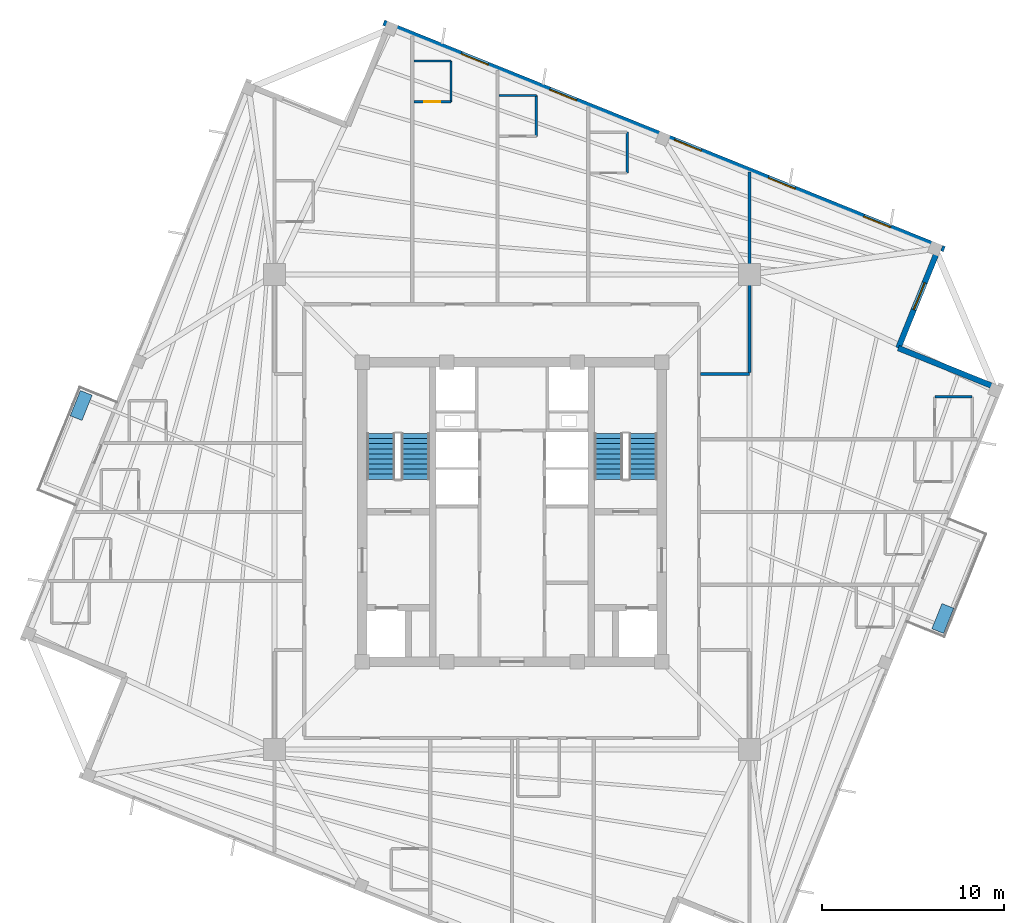
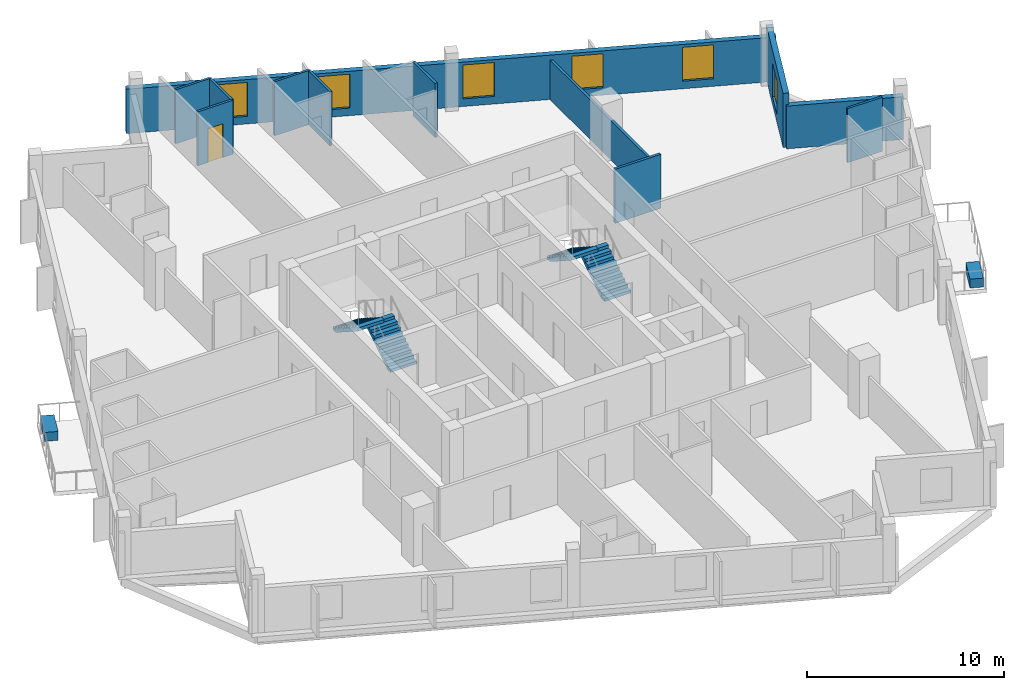
# One storey, part 6 of 9: 12 walls, 6 windows, 4 stair flights, 2 discrete accessories, 1 door, 7 openings, 2 elements without a shape of their own.
"""IFC4 building model written with IfcOpenShell, lengths in metres."""

from ifc_helpers import new_model, si_unit, direction, frame, frame_2d, origin, origin_2d, place, context, subcontext, project, spatial, polyline, rectangle, outline, extrude, source, transform, mapped, material, layer, layer_set, type_object, element, fill, aggregate, save


model = new_model("IFC4")

# Units and contexts
model_context = context("Model", 3, precision=1e-05, world=origin(), true_north=direction((0.0, 1.0)))
body_context = subcontext(model_context, "Body", "Model", "MODEL_VIEW")
ifc_project = project(units=[si_unit("LENGTHUNIT", "METRE"), si_unit("AREAUNIT", "SQUARE_METRE"), si_unit("VOLUMEUNIT", "CUBIC_METRE"), si_unit("PLANEANGLEUNIT", "RADIAN"), si_unit("MASSUNIT", "GRAM", prefix="KILO"), si_unit("THERMODYNAMICTEMPERATUREUNIT", "KELVIN")], contexts=[model_context])

# Site, building, storey
site_placement = place(None, origin())
site = spatial("IfcSite", under=ifc_project, at=site_placement, CompositionType="ELEMENT")
building_placement = place(site_placement, origin())
building = spatial("IfcBuilding", under=site, at=building_placement, Name="Kosmvard Interchange Tower", CompositionType="ELEMENT")
storey_placement = place(building_placement, frame((0.0, 0.0, 279.60009765625)))
storey = spatial("IfcBuildingStorey", under=building, at=storey_placement, Name="L68", CompositionType="ELEMENT", Elevation=279.60009765625)

# Walls
ifc_material_1 = material(Name="Acoustic gypsum partition system")
ifc_layer_1 = layer(ifc_material_1, 0.14990234375, Name="Acoustic gypsum partition system")
ifc_layer_set_1 = layer_set([ifc_layer_1], Name="Acoustic gypsum partition system")
wall_type_1 = type_object("IfcWallType", Name="Acoustic Suite & Meeting Partition 150", PredefinedType="PARTITIONING", material=ifc_layer_set_1)
wall_1_placement = place(storey_placement, frame((10.39501953125, 7.60009765625, 0.0), z_axis=(0.0, 0.0, 1.0), x_axis=(1.0, 0.0, 0.0)))
element("IfcWall", 1, at=wall_1_placement, inside=storey, type_object=wall_type_1, Name="L68 Room Partition 15.1", PredefinedType="PARTITIONING", context=body_context, shape_type="SweptSolid", body=[
    extrude(rectangle(XDim=2.68603515625, YDim=0.14990234375, at=frame_2d((1.343017578125, 0.0))), origin(), (0.0, 0.0, 1.0), 3.349853515625),
])
wall_2_placement = place(storey_placement, frame((13.0810546875, 7.675048828125, 0.0), z_axis=(0.0, 0.0, 1.0), x_axis=(0.0, 1.0, 0.0)))
element("IfcWall", 2, at=wall_2_placement, inside=storey, type_object=wall_type_1, Name="L68 Room Partition 16.1", PredefinedType="PARTITIONING", context=body_context, shape_type="SweptSolid", body=[
    extrude(rectangle(XDim=11.042724609375, YDim=0.14990234375, at=frame_2d((5.521484375, 0.0))), origin(), (0.0, 0.0, 1.0), 2.449951171875),
])
ifc_material_2 = material(Name="Precast concrete C45/55", Category="concrete")
ifc_layer_2 = layer(ifc_material_2, 0.31005859375, Name="Precast concrete C45/55")
ifc_layer_set_2 = layer_set([ifc_layer_2], Name="Precast concrete C45/55")
wall_type_2 = type_object("IfcWallType", Name="Upper Tower Precast Pier Wall 310 C45/55", PredefinedType="STANDARD", material=ifc_layer_set_2)
wall_3_placement = place(storey_placement, frame((26.8408203125, 6.7841796875, 0.0), z_axis=(0.0, 0.0, 1.0), x_axis=(-0.927171722085, 0.374636620962, 0.0)))
element("IfcWall", 3, at=wall_3_placement, inside=storey, type_object=wall_type_2, Name="L68 Precast Facade Wall N-SE1", PredefinedType="STANDARD", context=body_context, shape_type="SweptSolid", body=[
    extrude(rectangle(XDim=6.0, YDim=0.31005859375, at=frame_2d((3.0, 0.0))), origin(), (0.0, 0.0, 1.0), 2.64990234375),
])

# Wall, opening, window
wall_4_placement = place(storey_placement, frame((21.27783203125, 9.031982421875, 0.0), z_axis=(0.0, 0.0, 1.0), x_axis=(0.374602739196, 0.927185411764, 0.0)))
wall_4 = element("IfcWall", 4, at=wall_4_placement, inside=storey, type_object=wall_type_2, Name="L68 Precast Facade Wall N-SE2", PredefinedType="STANDARD", context=body_context, shape_type="SweptSolid", body=[
    extrude(rectangle(XDim=6.155029296875, YDim=0.31005859375, at=frame_2d((3.07763671875, 0.0))), origin(), (0.0, 0.0, 1.0), 3.349853515625),
])
opening_1_placement = place(wall_4_placement, frame((2.277587890625, 0.0, 0.469970703125)))
opening_1 = element("IfcOpeningElement", 5, at=opening_1_placement, cuts=wall_4, Name="Opening L68-W19", PredefinedType="OPENING", context=body_context, shape_type="SweptSolid", body=[
    extrude(rectangle(XDim=1.60009765625, YDim=2.10009765625, at=frame_2d((0.800048828125, 1.050048828125))), frame((0.0, 0.1650390625, 0.0), z_axis=(0.0, -1.0, 0.0), x_axis=(1.0, 0.0, 0.0)), (0.0, 0.0, 1.0), 0.330078125),
])
ifc_material_3 = material(Name="Low-E acoustic double glazing", Category="glass")
window_type = type_object("IfcWindowType", Name="Zone 5 Hotel Punched Window 1600x2100", PartitioningType="SINGLE_PANEL", PredefinedType="WINDOW", material=ifc_material_3)
shared_shape_1 = source(origin(), body_context, "Body", "SweptSolid", [
    extrude(rectangle(XDim=1.60009765625, YDim=2.10009765625, at=frame_2d((0.800048828125, 1.050048828125))), frame((0.0, 0.030029296875, 0.0), z_axis=(0.0, -1.0, 0.0), x_axis=(1.0, 0.0, 0.0)), (0.0, 0.0, 1.0), 0.06005859375),
])
window_1_placement = place(opening_1_placement, origin())
window_1 = element("IfcWindow", 6, at=window_1_placement, inside=storey, type_object=window_type, Name="L68 Corner Notch Window 19", OverallHeight=2.10009765625, OverallWidth=1.60009765625, PartitioningType="SINGLE_PANEL", PredefinedType="WINDOW", context=body_context, shape_type="MappedRepresentation", body=[
    mapped(shared_shape_1, transform((0.0, 0.0, 0.0), scale=1.0)),
])
fill(opening_1, window_1)

# Wall, openings, windows
wall_5_placement = place(storey_placement, frame((23.812744140625, 14.478759765625, 0.0), z_axis=(0.0, 0.0, 1.0), x_axis=(-0.927182657188, 0.374609557019, 0.0)))
wall_5 = element("IfcWall", 7, at=wall_5_placement, inside=storey, type_object=wall_type_2, Name="L68 Precast Facade Wall F-E", PredefinedType="STANDARD", context=body_context, shape_type="SweptSolid", body=[
    extrude(rectangle(XDim=33.31005859375, YDim=0.31005859375, at=frame_2d((16.655029296875, 0.0))), origin(), (0.0, 0.0, 1.0), 2.75),
])
opening_2_placement = place(wall_5_placement, frame((3.197265625, 0.0, 0.469970703125)))
opening_2 = element("IfcOpeningElement", 8, at=opening_2_placement, cuts=wall_5, Name="Opening L68-W05", PredefinedType="OPENING", context=body_context, shape_type="SweptSolid", body=[
    extrude(rectangle(XDim=1.60009765625, YDim=2.10009765625, at=frame_2d((0.800048828125, 1.050048828125))), frame((0.0, 0.1650390625, 0.0), z_axis=(0.0, -1.0, 0.0), x_axis=(1.0, 0.0, 0.0)), (0.0, 0.0, 1.0), 0.330078125),
])
opening_3_placement = place(wall_5_placement, frame((8.85986328125, 0.0, 0.469970703125)))
opening_3 = element("IfcOpeningElement", 9, at=opening_3_placement, cuts=wall_5, Name="Opening L68-W06", PredefinedType="OPENING", context=body_context, shape_type="SweptSolid", body=[
    extrude(rectangle(XDim=1.60009765625, YDim=2.10009765625, at=frame_2d((0.800048828125, 1.050048828125))), frame((0.0, 0.1650390625, 0.0), z_axis=(0.0, -1.0, 0.0), x_axis=(1.0, 0.0, 0.0)), (0.0, 0.0, 1.0), 0.330078125),
])
opening_4_placement = place(wall_5_placement, frame((14.438720703125, 0.0, 0.469970703125)))
opening_4 = element("IfcOpeningElement", 10, at=opening_4_placement, cuts=wall_5, Name="Opening L68-W07", PredefinedType="OPENING", context=body_context, shape_type="SweptSolid", body=[
    extrude(rectangle(XDim=1.60009765625, YDim=2.10009765625, at=frame_2d((0.800048828125, 1.050048828125))), frame((0.0, 0.1650390625, 0.0), z_axis=(0.0, -1.0, 0.0), x_axis=(1.0, 0.0, 0.0)), (0.0, 0.0, 1.0), 0.330078125),
])
opening_5_placement = place(wall_5_placement, frame((21.850830078125, 0.0, 0.469970703125)))
opening_5 = element("IfcOpeningElement", 11, at=opening_5_placement, cuts=wall_5, Name="Opening L68-W08", PredefinedType="OPENING", context=body_context, shape_type="SweptSolid", body=[
    extrude(rectangle(XDim=1.60009765625, YDim=2.10009765625, at=frame_2d((0.800048828125, 1.050048828125))), frame((0.0, 0.1650390625, 0.0), z_axis=(0.0, -1.0, 0.0), x_axis=(1.0, 0.0, 0.0)), (0.0, 0.0, 1.0), 0.330078125),
])
opening_6_placement = place(wall_5_placement, frame((27.0966796875, 0.0, 0.469970703125)))
opening_6 = element("IfcOpeningElement", 12, at=opening_6_placement, cuts=wall_5, Name="Opening L68-W09", PredefinedType="OPENING", context=body_context, shape_type="SweptSolid", body=[
    extrude(rectangle(XDim=1.60009765625, YDim=2.10009765625, at=frame_2d((0.800048828125, 1.050048828125))), frame((0.0, 0.1650390625, 0.0), z_axis=(0.0, -1.0, 0.0), x_axis=(1.0, 0.0, 0.0)), (0.0, 0.0, 1.0), 0.330078125),
])
window_2_placement = place(opening_2_placement, origin())
window_2 = element("IfcWindow", 13, at=window_2_placement, inside=storey, type_object=window_type, Name="L68 Facade Punched Window 05", OverallHeight=2.10009765625, OverallWidth=1.60009765625, PartitioningType="SINGLE_PANEL", PredefinedType="WINDOW", context=body_context, shape_type="MappedRepresentation", body=[
    mapped(shared_shape_1, transform((0.0, 0.0, 0.0), scale=1.0)),
])
fill(opening_2, window_2)
window_3_placement = place(opening_3_placement, origin())
window_3 = element("IfcWindow", 14, at=window_3_placement, inside=storey, type_object=window_type, Name="L68 Facade Punched Window 06", OverallHeight=2.10009765625, OverallWidth=1.60009765625, PartitioningType="SINGLE_PANEL", PredefinedType="WINDOW", context=body_context, shape_type="MappedRepresentation", body=[
    mapped(shared_shape_1, transform((0.0, 0.0, 0.0), scale=1.0)),
])
fill(opening_3, window_3)
window_4_placement = place(opening_4_placement, origin())
window_4 = element("IfcWindow", 15, at=window_4_placement, inside=storey, type_object=window_type, Name="L68 Facade Punched Window 07", OverallHeight=2.10009765625, OverallWidth=1.60009765625, PartitioningType="SINGLE_PANEL", PredefinedType="WINDOW", context=body_context, shape_type="MappedRepresentation", body=[
    mapped(shared_shape_1, transform((0.0, 0.0, 0.0), scale=1.0)),
])
fill(opening_4, window_4)
window_5_placement = place(opening_5_placement, origin())
window_5 = element("IfcWindow", 16, at=window_5_placement, inside=storey, type_object=window_type, Name="L68 Facade Punched Window 08", OverallHeight=2.10009765625, OverallWidth=1.60009765625, PartitioningType="SINGLE_PANEL", PredefinedType="WINDOW", context=body_context, shape_type="MappedRepresentation", body=[
    mapped(shared_shape_1, transform((0.0, 0.0, 0.0), scale=1.0)),
])
fill(opening_5, window_5)
window_6_placement = place(opening_6_placement, origin())
window_6 = element("IfcWindow", 17, at=window_6_placement, inside=storey, type_object=window_type, Name="L68 Facade Punched Window 09", OverallHeight=2.10009765625, OverallWidth=1.60009765625, PartitioningType="SINGLE_PANEL", PredefinedType="WINDOW", context=body_context, shape_type="MappedRepresentation", body=[
    mapped(shared_shape_1, transform((0.0, 0.0, 0.0), scale=1.0)),
])
fill(opening_6, window_6)

# Wall, opening, door
ifc_material_4 = material(Name="Moisture-resistant gypsum partition")
ifc_layer_3 = layer(ifc_material_4, 0.135009765625, Name="Moisture-resistant gypsum partition")
ifc_layer_set_3 = layer_set([ifc_layer_3], Name="Moisture-resistant gypsum partition")
wall_type_3 = type_object("IfcWallType", Name="Wet Room Moisture-Resistant Partition 135", PredefinedType="PARTITIONING", material=ifc_layer_set_3)
wall_6_placement = place(storey_placement, frame((-5.409912109375, 22.591552734375, 0.0), z_axis=(0.0, 0.0, 1.0), x_axis=(1.0, 0.0, 0.0)))
wall_6 = element("IfcWall", 18, at=wall_6_placement, inside=storey, type_object=wall_type_3, Name="L68 En-Suite Partition HCS1-S", PredefinedType="PARTITIONING", context=body_context, shape_type="SweptSolid", body=[
    extrude(rectangle(XDim=2.0498046875, YDim=0.135009765625, at=frame_2d((1.02490234375, 0.0))), origin(), (0.0, 0.0, 1.0), 3.349853515625),
])
opening_7_placement = place(wall_6_placement, frame((0.5849609375, 0.0, 0.0)))
opening_7 = element("IfcOpeningElement", 19, at=opening_7_placement, cuts=wall_6, Name="Opening L68-ED09", PredefinedType="OPENING", context=body_context, shape_type="SweptSolid", body=[
    extrude(rectangle(XDim=0.8798828125, YDim=2.10009765625, at=frame_2d((0.43994140625, 1.050048828125))), frame((0.0, 0.07763671875, 0.0), z_axis=(0.0, -1.0, 0.0), x_axis=(1.0, 0.0, 0.0)), (0.0, 0.0, 1.0), 0.155029296875),
])
ifc_material_5 = material(Name="Laminated moisture-resistant timber", Category="wood")
door_type = type_object("IfcDoorType", Name="En-Suite & Washroom Door 880x2100", OperationType="NOTDEFINED", PredefinedType="DOOR", material=ifc_material_5)
shared_shape_2 = source(origin(), body_context, "Body", "SweptSolid", [
    extrude(rectangle(XDim=0.8798828125, YDim=2.10009765625, at=frame_2d((0.43994140625, 1.050048828125))), frame((0.0, 0.02490234375, 0.0), z_axis=(0.0, -1.0, 0.0), x_axis=(1.0, 0.0, 0.0)), (0.0, 0.0, 1.0), 0.050048828125),
])
door_placement = place(opening_7_placement, origin())
door = element("IfcDoor", 20, at=door_placement, inside=storey, type_object=door_type, Name="L68 HCS1 En-Suite Door", OperationType="SINGLE_SWING_RIGHT", OverallHeight=2.10009765625, OverallWidth=0.8798828125, PredefinedType="DOOR", context=body_context, shape_type="MappedRepresentation", body=[
    mapped(shared_shape_2, transform((0.0, 0.0, 0.0), scale=1.0)),
])
fill(opening_7, door)

# Walls
wall_7_placement = place(storey_placement, frame((-3.360107421875, 22.591552734375, 0.0), z_axis=(0.0, 0.0, 1.0), x_axis=(0.0, 1.0, 0.0)))
element("IfcWall", 21, at=wall_7_placement, inside=storey, type_object=wall_type_3, Name="L68 En-Suite Partition HCS1-E", PredefinedType="PARTITIONING", context=body_context, shape_type="SweptSolid", body=[
    extrude(rectangle(XDim=2.25, YDim=0.135009765625, at=frame_2d((1.125, 0.0))), origin(), (0.0, 0.0, 1.0), 3.349853515625),
])
wall_8_placement = place(storey_placement, frame((-5.409912109375, 24.841552734375, 0.0), z_axis=(0.0, 0.0, 1.0), x_axis=(1.0, 0.0, 0.0)))
element("IfcWall", 22, at=wall_8_placement, inside=storey, type_object=wall_type_3, Name="L68 En-Suite Partition HCS1-N", PredefinedType="PARTITIONING", context=body_context, shape_type="SweptSolid", body=[
    extrude(rectangle(XDim=2.0498046875, YDim=0.135009765625, at=frame_2d((1.02490234375, 0.0))), origin(), (0.0, 0.0, 1.0), 3.349853515625),
])
wall_9_placement = place(storey_placement, frame((1.340087890625, 20.692626953125, 0.0), z_axis=(0.0, 0.0, 1.0), x_axis=(0.0, 1.0, 0.0)))
element("IfcWall", 23, at=wall_9_placement, inside=storey, type_object=wall_type_3, Name="L68 En-Suite Partition HGR4-E", PredefinedType="PARTITIONING", context=body_context, shape_type="SweptSolid", body=[
    extrude(rectangle(XDim=2.25, YDim=0.135009765625, at=frame_2d((1.125, 0.0))), origin(), (0.0, 0.0, 1.0), 3.349853515625),
])
wall_10_placement = place(storey_placement, frame((-0.7099609375, 22.942626953125, 0.0), z_axis=(0.0, 0.0, 1.0), x_axis=(1.0, 0.0, 0.0)))
element("IfcWall", 24, at=wall_10_placement, inside=storey, type_object=wall_type_3, Name="L68 En-Suite Partition HGR4-N", PredefinedType="PARTITIONING", context=body_context, shape_type="SweptSolid", body=[
    extrude(rectangle(XDim=2.050048828125, YDim=0.135009765625, at=frame_2d((1.02490234375, 0.0))), origin(), (0.0, 0.0, 1.0), 3.349853515625),
])
wall_11_placement = place(storey_placement, frame((6.340087890625, 18.672607421875, 0.0), z_axis=(0.0, 0.0, 1.0), x_axis=(0.0, 1.0, 0.0)))
element("IfcWall", 25, at=wall_11_placement, inside=storey, type_object=wall_type_3, Name="L68 En-Suite Partition HGR5-E", PredefinedType="PARTITIONING", context=body_context, shape_type="SweptSolid", body=[
    extrude(rectangle(XDim=2.25, YDim=0.135009765625, at=frame_2d((1.125, 0.0))), origin(), (0.0, 0.0, 1.0), 3.349853515625),
])
wall_12_placement = place(storey_placement, frame((23.29150390625, 6.340087890625, 0.0), z_axis=(0.0, 0.0, 1.0), x_axis=(1.0, 0.0, 0.0)))
element("IfcWall", 26, at=wall_12_placement, inside=storey, type_object=wall_type_3, Name="L68 En-Suite Partition HCS2-N", PredefinedType="PARTITIONING", context=body_context, shape_type="SweptSolid", body=[
    extrude(rectangle(XDim=2.050048828125, YDim=0.135009765625, at=frame_2d((1.02490234375, 0.0))), origin(), (0.0, 0.0, 1.0), 3.349853515625),
])

# Stair, stair flights
ifc_material_6 = material(Name="Concrete C50/60", Category="concrete")
stair_type = type_object("IfcStairType", Name="Dog-Leg Core Exit Stair H3600 C50/60", PredefinedType="HALF_TURN_STAIR", material=ifc_material_6)
stair_1_placement = place(storey_placement, origin())
stair_1 = element("IfcStair", 27, at=stair_1_placement, inside=storey, type_object=stair_type, Name="L68 Protected Exit Stair ST-1", PredefinedType="HALF_TURN_STAIR")
stair_flight_type = type_object("IfcStairFlightType", Name="Core Stair Flight W1550 H3600 C50/60", PredefinedType="STRAIGHT", material=ifc_material_6)
shared_shape_3 = source(origin(), body_context, "Body", "SweptSolid", [
    extrude(outline(polyline([(0.0, 0.0), (0.0, 0.179931640625), (0.280029296875, 0.179931640625), (0.280029296875, 0.360107421875), (0.56005859375, 0.360107421875), (0.56005859375, 0.5400390625), (0.840087890625, 0.5400390625), (0.840087890625, 0.719970703125), (1.1201171875, 0.719970703125), (1.1201171875, 0.89990234375), (1.39990234375, 0.89990234375), (1.39990234375, 1.080078125), (1.679931640625, 1.080078125), (1.679931640625, 1.260009765625), (1.9599609375, 1.260009765625), (1.9599609375, 1.43994140625), (2.239990234375, 1.43994140625), (2.239990234375, 1.6201171875), (2.52001953125, 1.6201171875), (2.52001953125, 1.800048828125), (2.52001953125, 1.429931640625), (0.295654296875, 0.0), (0.0, 0.0)])), frame((0.0, 0.77490234375, 0.0), z_axis=(0.0, -1.0, 0.0), x_axis=(1.0, 0.0, 0.0)), (0.0, 0.0, 1.0), 1.550048828125),
])
stair_flight_1_placement = place(storey_placement, frame((-5.31494140625, 1.800048828125, 0.0), z_axis=(0.0, 0.0, 1.0), x_axis=(0.0, 1.0, 0.0)))
stair_flight_1 = element("IfcStairFlight", 28, at=stair_flight_1_placement, type_object=stair_flight_type, Name="ST-1 flight 1", NumberOfRisers=10, NumberOfTreads=9, PredefinedType="STRAIGHT", RiserHeight=0.18, TreadLength=0.28, context=body_context, shape_type="MappedRepresentation", body=[
    mapped(shared_shape_3, transform((0.0, 0.0, 0.0), scale=1.0)),
])
stair_flight_2_placement = place(storey_placement, frame((-7.22509765625, 4.320068359375, 1.7998046875), z_axis=(0.0, 0.0, 1.0), x_axis=(0.0, -1.0, 0.0)))
stair_flight_2 = element("IfcStairFlight", 29, at=stair_flight_2_placement, type_object=stair_flight_type, Name="ST-1 flight 2", NumberOfRisers=10, NumberOfTreads=9, PredefinedType="STRAIGHT", RiserHeight=0.18, TreadLength=0.28, context=body_context, shape_type="MappedRepresentation", body=[
    mapped(shared_shape_3, transform((0.0, 0.0, 0.0), scale=1.0)),
])
aggregate(stair_1, [stair_flight_1, stair_flight_2])

stair_2_placement = place(storey_placement, origin())
stair_2 = element("IfcStair", 30, at=stair_2_placement, inside=storey, type_object=stair_type, Name="L68 Protected Exit Stair ST-2", PredefinedType="HALF_TURN_STAIR")
stair_flight_3_placement = place(storey_placement, frame((7.22509765625, 1.800048828125, 0.0), z_axis=(0.0, 0.0, 1.0), x_axis=(0.0, 1.0, 0.0)))
stair_flight_3 = element("IfcStairFlight", 31, at=stair_flight_3_placement, type_object=stair_flight_type, Name="ST-2 flight 1", NumberOfRisers=10, NumberOfTreads=9, PredefinedType="STRAIGHT", RiserHeight=0.18, TreadLength=0.28, context=body_context, shape_type="MappedRepresentation", body=[
    mapped(shared_shape_3, transform((0.0, 0.0, 0.0), scale=1.0)),
])
stair_flight_4_placement = place(storey_placement, frame((5.31494140625, 4.320068359375, 1.7998046875), z_axis=(0.0, 0.0, 1.0), x_axis=(0.0, -1.0, 0.0)))
stair_flight_4 = element("IfcStairFlight", 32, at=stair_flight_4_placement, type_object=stair_flight_type, Name="ST-2 flight 2", NumberOfRisers=10, NumberOfTreads=9, PredefinedType="STRAIGHT", RiserHeight=0.18, TreadLength=0.28, context=body_context, shape_type="MappedRepresentation", body=[
    mapped(shared_shape_3, transform((0.0, 0.0, 0.0), scale=1.0)),
])
aggregate(stair_2, [stair_flight_3, stair_flight_4])

# Discrete accessories
ifc_material_7 = material(Name="Terracotta precast planter concrete C45/55", Category="masonry")
discrete_accessory_type = type_object("IfcDiscreteAccessoryType", Name="Precast Tree-Balcony & Terrace Planter Box", PredefinedType="USERDEFINED", material=ifc_material_7)
shared_shape_4 = source(origin(), body_context, "Body", "SweptSolid", [
    extrude(rectangle(XDim=1.5, YDim=0.699951171875, at=origin_2d()), origin(), (0.0, 0.0, 1.0), 0.550048828125),
])
for number, where, z_axis, x_axis, name in (
    (33, (23.730224609375, -5.86669921875, 0.0), (0.0, 0.0, 1.0), (0.374606593416, 0.927183854567, 0.0), "L68 Balcony Tree Planter BAL-L68-SW"),
    (34, (-23.730224609375, 5.86669921875, 0.0), (0.0, 0.0, 1.0), (0.374606593416, 0.927183854567, 0.0), "L68 Balcony Tree Planter BAL-L68-NE"),
):
    element("IfcDiscreteAccessory", number, at=place(storey_placement, frame(where, z_axis=z_axis, x_axis=x_axis)), inside=storey, type_object=discrete_accessory_type, Name=name, ObjectType="PLANTER", PredefinedType="USERDEFINED", context=body_context, shape_type="MappedRepresentation", body=[
        mapped(shared_shape_4, transform((0.0, 0.0, 0.0), scale=1.0)),
    ])

save(model, "model.ifc")
